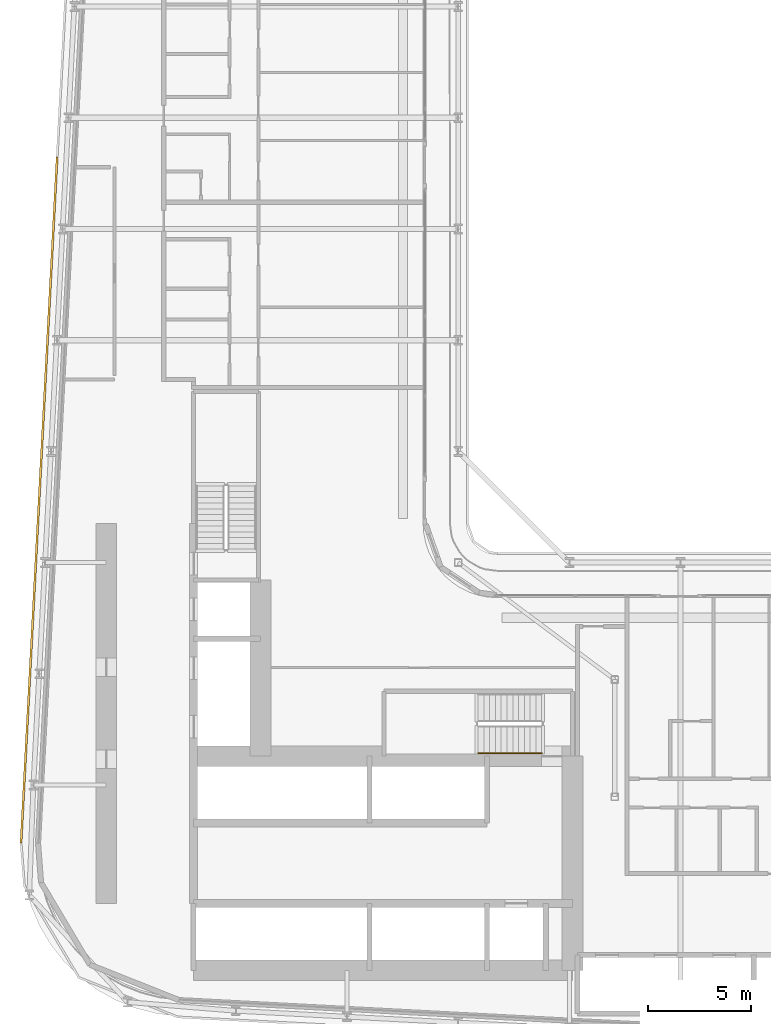
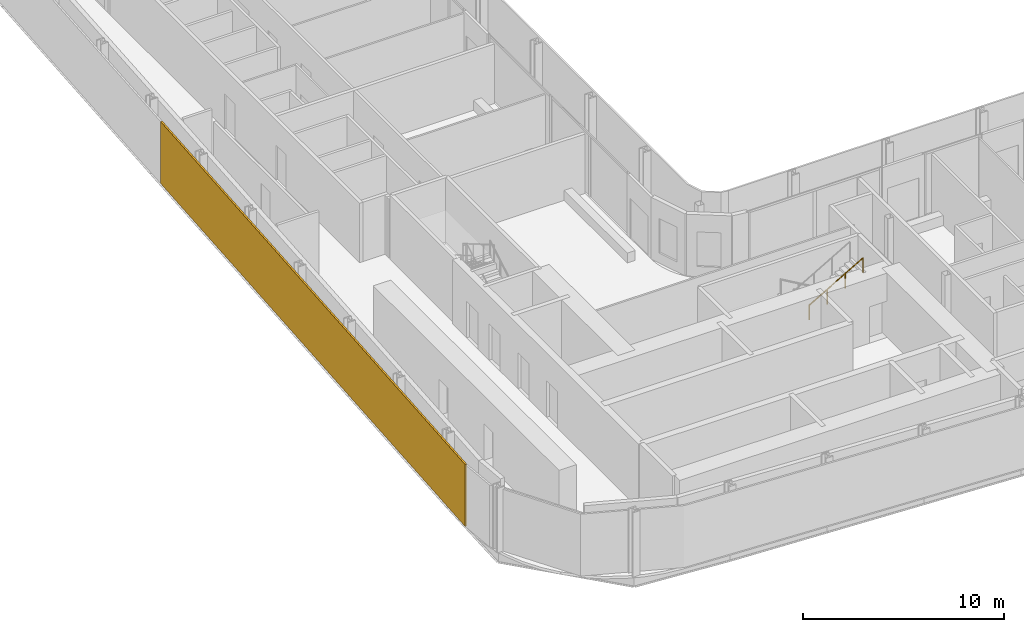
# One storey, part 22 of 28: 1 railing, 1 shading device.
"""IFC4 building model written with IfcOpenShell, lengths in metres."""

from ifc_helpers import new_model, si_unit, direction, frame, origin, origin_2d, place, context, subcontext, project, spatial, rectangle, circle, extrude, material, layer, layer_set, type_object, element, save


model = new_model("IFC4")

# Units and contexts
model_context = context("Model", 3, precision=1e-05, world=origin(), true_north=direction((0.0, 1.0)))
body_context = subcontext(model_context, "Body", "Model", "MODEL_VIEW")
ifc_project = project(units=[si_unit("LENGTHUNIT", "METRE"), si_unit("AREAUNIT", "SQUARE_METRE"), si_unit("VOLUMEUNIT", "CUBIC_METRE"), si_unit("PLANEANGLEUNIT", "RADIAN"), si_unit("MASSUNIT", "GRAM", prefix="KILO")], contexts=[model_context])

# Site, building, storey
site_placement = place(None, origin())
site = spatial("IfcSite", under=ifc_project, at=site_placement, CompositionType="ELEMENT")
building_placement = place(site_placement, origin())
building = spatial("IfcBuilding", under=site, at=building_placement, Name="Kheshtan School and Residences Tower", CompositionType="ELEMENT")
storey_placement = place(building_placement, frame((0.0, 0.0, 77.300048828125)))
storey = spatial("IfcBuildingStorey", under=building, at=storey_placement, Name="L18", CompositionType="ELEMENT", Elevation=77.300048828125)

# Shading device
ifc_material_1 = material(Name="Terracotta baguette, extruded ceramic", Category="masonry")
ifc_layer = layer(ifc_material_1, 0.10009765625)
ifc_layer_set = layer_set([ifc_layer], Name="Ledge screen, terracotta baguettes")
shading_device_type = type_object("IfcShadingDeviceType", Name="Ledge screen, terracotta baguettes", PredefinedType="USERDEFINED", material=ifc_layer_set)
shading_device_placement = place(storey_placement, frame((27.24609375, 48.638916015625, 0.0), z_axis=(0.0, 0.0, 1.0), x_axis=(0.052562536748, 0.998617634398, 0.0)))
element("IfcShadingDevice", 1, at=shading_device_placement, inside=storey, type_object=shading_device_type, Name="Screen L18 4", ObjectType="BAGUETTE", PredefinedType="USERDEFINED", context=body_context, shape_type="SweptSolid", body=[
    extrude(rectangle(XDim=33.341064453125, YDim=0.10009765625, at=origin_2d()), origin(), (0.0, 0.0, 1.0), 3.75),
])

# Railing
ifc_material_2 = material(Name="Stainless steel handrail", Category="steel")
railing_type = type_object("IfcRailingType", Name="Stair handrail 900", PredefinedType="HANDRAIL", material=ifc_material_2)
railing_placement = place(storey_placement, frame((48.570068359375, 36.35009765625, 2.112548828125)))
element("IfcRailing", 2, at=railing_placement, inside=storey, type_object=railing_type, Name="L18 ST1 stair handrail 2", PredefinedType="HANDRAIL", context=body_context, shape_type="SweptSolid", body=[
    extrude(circle(Radius=0.02392578125, at=origin_2d()), frame((0.0, 0.0, 0.8759765625), z_axis=(0.864903211148, 0.0, 0.501938676878), x_axis=(0.0, 1.0, 0.0)), (0.0, 0.0, 1.0), 3.560791015625),
    extrude(circle(Radius=0.02099609375, at=origin_2d()), origin(), (0.0, 0.0, 1.0), 0.851806640625),
    extrude(circle(Radius=0.02099609375, at=origin_2d()), frame((1.026611328125, 0.0, 0.595703125)), (0.0, 0.0, 1.0), 0.851806640625),
    extrude(circle(Radius=0.02099609375, at=origin_2d()), frame((2.05322265625, 0.0, 1.191650390625)), (0.0, 0.0, 1.0), 0.851806640625),
    extrude(circle(Radius=0.02099609375, at=origin_2d()), frame((3.079833984375, 0.0, 1.787353515625)), (0.0, 0.0, 1.0), 0.851806640625),
])

save(model, "model.ifc")
